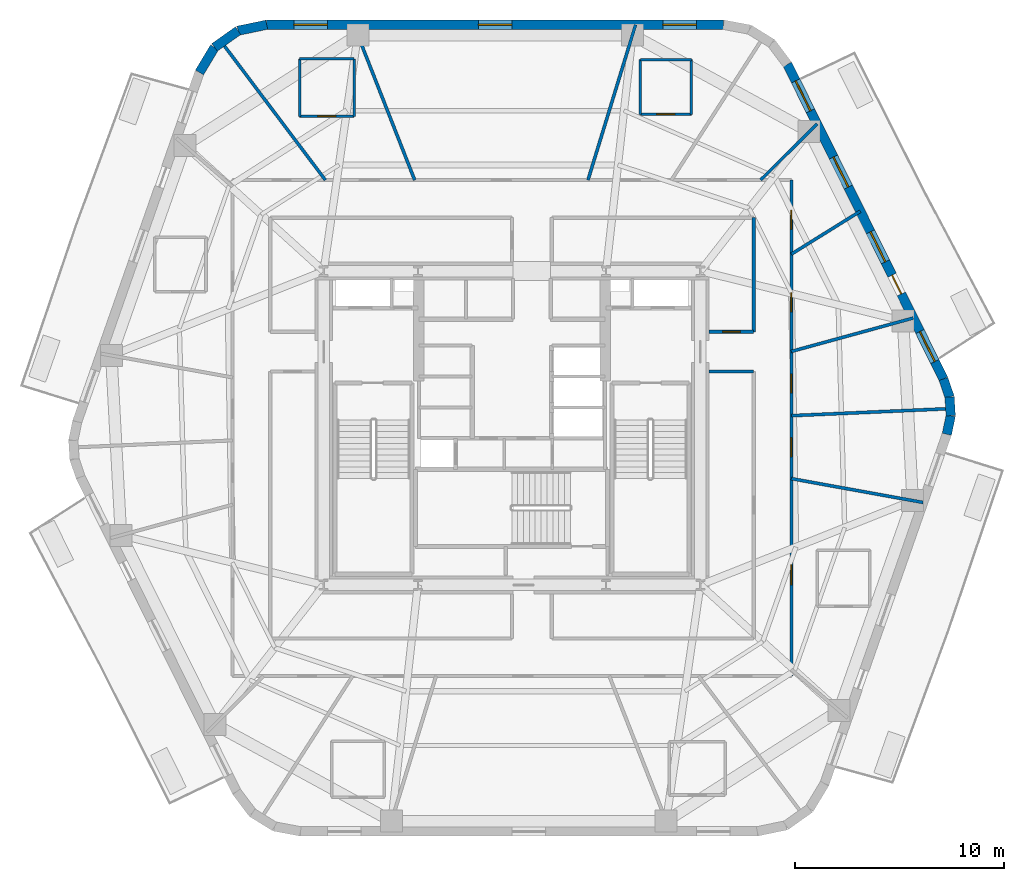
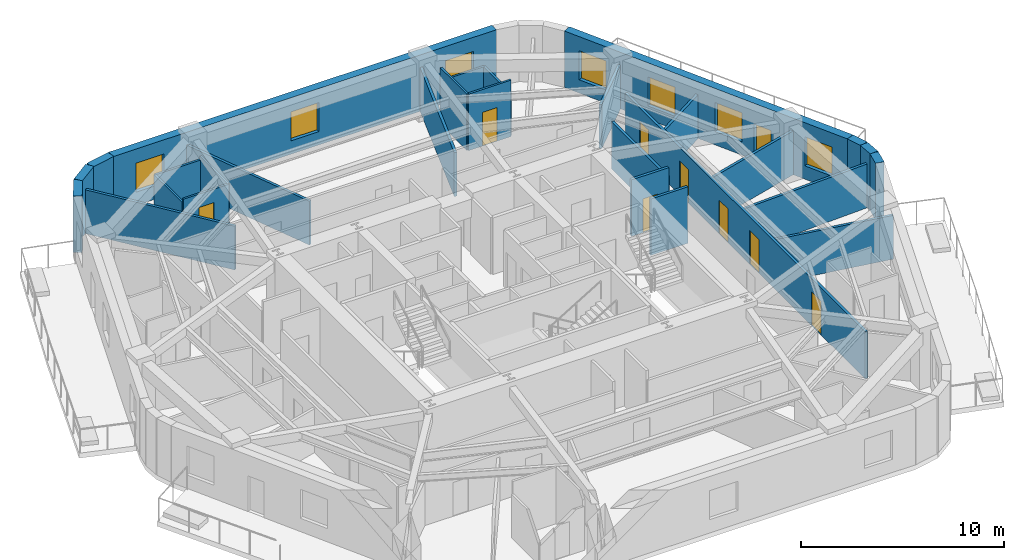
# One storey, part 6 of 10: 28 walls, 9 doors, 7 windows, 16 openings.
"""IFC4 building model written with IfcOpenShell, lengths in metres."""

from ifc_helpers import new_model, si_unit, direction, frame, frame_2d, origin, place, context, subcontext, project, spatial, rectangle, extrude, material, layer, layer_set, type_object, element, fill, save


model = new_model("IFC4")

# Units and contexts
model_context = context("Model", 3, precision=1e-05, world=origin(), true_north=direction((0.0, 1.0)))
body_context = subcontext(model_context, "Body", "Model", "MODEL_VIEW")
ifc_project = project(units=[si_unit("LENGTHUNIT", "METRE"), si_unit("AREAUNIT", "SQUARE_METRE"), si_unit("VOLUMEUNIT", "CUBIC_METRE"), si_unit("PLANEANGLEUNIT", "RADIAN"), si_unit("MASSUNIT", "GRAM", prefix="KILO")], contexts=[model_context])

# Site, building, storey
site_placement = place(None, origin())
site = spatial("IfcSite", under=ifc_project, at=site_placement, CompositionType="ELEMENT")
building_placement = place(site_placement, origin())
building = spatial("IfcBuilding", under=site, at=building_placement, Name="Kilnhurst Terrace Hotel", CompositionType="ELEMENT")
storey_placement = place(building_placement, frame((0.0, 0.0, 144.300048828125)))
storey = spatial("IfcBuildingStorey", under=building, at=storey_placement, Name="L35", CompositionType="ELEMENT", Elevation=144.300048828125)

# Walls
ifc_material_1 = material(Name="Precast concrete C40/50", Category="concrete")
ifc_layer_1 = layer(ifc_material_1, 0.449951171875, Name="Precast concrete C40/50")
ifc_layer_set_1 = layer_set([ifc_layer_1], Name="Precast concrete C40/50")
wall_type_1 = type_object("IfcWallType", Name="WL-BRK-450", PredefinedType="SOLIDWALL", material=ifc_layer_set_1)
wall_1_placement = place(storey_placement, frame((20.78173828125, -0.298095703125, 0.0), z_axis=(0.0, 0.0, 1.0), x_axis=(0.202570068411, 0.979267771033, 0.0)))
element("IfcWall", 1, at=wall_1_placement, inside=storey, type_object=wall_type_1, Name="L35 Rounded Corner Brick Wall C3.1", PredefinedType="SOLIDWALL", context=body_context, shape_type="SweptSolid", body=[
    extrude(rectangle(XDim=0.90869140625, YDim=0.449951171875, at=frame_2d((0.454345703125, 0.0))), origin(), (0.0, 0.0, 1.0), 3.39990234375),
])
wall_2_placement = place(storey_placement, frame((20.9658203125, 0.591796875, 0.0), z_axis=(0.0, 0.0, 1.0), x_axis=(-0.061748898935, 0.998091715966, 0.0)))
element("IfcWall", 2, at=wall_2_placement, inside=storey, type_object=wall_type_1, Name="L35 Rounded Corner Brick Wall C3.2", PredefinedType="SOLIDWALL", context=body_context, shape_type="SweptSolid", body=[
    extrude(rectangle(XDim=0.8935546875, YDim=0.449951171875, at=frame_2d((0.44677734375, 0.0))), origin(), (0.0, 0.0, 1.0), 3.39990234375),
])
wall_3_placement = place(storey_placement, frame((20.91064453125, 1.483642578125, 0.0), z_axis=(0.0, 0.0, 1.0), x_axis=(-0.321623334353, 0.946867694453, 0.0)))
element("IfcWall", 3, at=wall_3_placement, inside=storey, type_object=wall_type_1, Name="L35 Rounded Corner Brick Wall C3.3", PredefinedType="SOLIDWALL", context=body_context, shape_type="SweptSolid", body=[
    extrude(rectangle(XDim=0.90869140625, YDim=0.449951171875, at=frame_2d((0.454345703125, 0.0))), origin(), (0.0, 0.0, 1.0), 3.39990234375),
])
wall_4_placement = place(storey_placement, frame((-11.720458984375, 19.27490234375, 0.0), z_axis=(0.0, 0.0, 1.0), x_axis=(-0.97893106758, -0.204191001093, 0.0)))
element("IfcWall", 4, at=wall_4_placement, inside=storey, type_object=wall_type_1, Name="L35 Rounded Corner Brick Wall C5.1", PredefinedType="SOLIDWALL", context=body_context, shape_type="SweptSolid", body=[
    extrude(rectangle(XDim=1.400146484375, YDim=0.449951171875, at=frame_2d((0.7001953125, 0.0))), origin(), (0.0, 0.0, 1.0), 3.39990234375),
])
wall_5_placement = place(storey_placement, frame((-13.091064453125, 18.989013671875, 0.0), z_axis=(0.0, 0.0, 1.0), x_axis=(-0.815574637848, -0.578651890258, 0.0)))
element("IfcWall", 5, at=wall_5_placement, inside=storey, type_object=wall_type_1, Name="L35 Rounded Corner Brick Wall C5.2", PredefinedType="SOLIDWALL", context=body_context, shape_type="SweptSolid", body=[
    extrude(rectangle(XDim=1.376708984375, YDim=0.449951171875, at=frame_2d((0.6884765625, 0.0))), origin(), (0.0, 0.0, 1.0), 3.39990234375),
])
wall_6_placement = place(storey_placement, frame((-14.2138671875, 18.1923828125, 0.0), z_axis=(0.0, 0.0, 1.0), x_axis=(-0.516340945502, -0.856383108193, 0.0)))
element("IfcWall", 6, at=wall_6_placement, inside=storey, type_object=wall_type_1, Name="L35 Rounded Corner Brick Wall C5.3", PredefinedType="SOLIDWALL", context=body_context, shape_type="SweptSolid", body=[
    extrude(rectangle(XDim=1.400146484375, YDim=0.449951171875, at=frame_2d((0.7001953125, 0.0))), origin(), (0.0, 0.0, 1.0), 3.39990234375),
])

# Wall, openings, door, windows
wall_7_placement = place(storey_placement, frame((20.618408203125, 2.343994140625, 0.0), z_axis=(0.0, 0.0, 1.0), x_axis=(-0.444243691097, 0.895905990002, 0.0)))
wall_7 = element("IfcWall", 7, at=wall_7_placement, inside=storey, type_object=wall_type_1, Name="L35 Exterior Brick Facade Wall F3", PredefinedType="SOLIDWALL", context=body_context, shape_type="SweptSolid", body=[
    extrude(rectangle(XDim=16.78369140625, YDim=0.449951171875, at=frame_2d((8.391845703125, 0.0))), origin(), (0.0, 0.0, 1.0), 3.39990234375),
])
opening_1_placement = place(wall_7_placement, frame((4.534912109375, 0.0, 0.0)))
opening_1 = element("IfcOpeningElement", 8, at=opening_1_placement, cuts=wall_7, Name="Opening BD-1000", PredefinedType="OPENING", context=body_context, shape_type="SweptSolid", body=[
    extrude(rectangle(XDim=1.0, YDim=2.14990234375, at=frame_2d((0.5, 1.074951171875))), frame((0.0, 0.23486328125, 0.0), z_axis=(0.0, -1.0, 0.0), x_axis=(1.0, 0.0, 0.0)), (0.0, 0.0, 1.0), 0.469970703125),
])
opening_2_placement = place(wall_7_placement, frame((0.930908203125, 0.0, 0.800048828125)))
opening_2 = element("IfcOpeningElement", 9, at=opening_2_placement, cuts=wall_7, Name="Opening W-05", PredefinedType="OPENING", context=body_context, shape_type="SweptSolid", body=[
    extrude(rectangle(XDim=1.60009765625, YDim=1.75, at=frame_2d((0.800048828125, 0.875))), frame((0.0, 0.23486328125, 0.0), z_axis=(0.0, -1.0, 0.0), x_axis=(1.0, 0.0, 0.0)), (0.0, 0.0, 1.0), 0.469970703125),
])
opening_3_placement = place(wall_7_placement, frame((6.25, 0.0, 0.800048828125)))
opening_3 = element("IfcOpeningElement", 10, at=opening_3_placement, cuts=wall_7, Name="Opening W-05", PredefinedType="OPENING", context=body_context, shape_type="SweptSolid", body=[
    extrude(rectangle(XDim=1.60009765625, YDim=1.75, at=frame_2d((0.800048828125, 0.875))), frame((0.0, 0.23486328125, 0.0), z_axis=(0.0, -1.0, 0.0), x_axis=(1.0, 0.0, 0.0)), (0.0, 0.0, 1.0), 0.469970703125),
])
opening_4_placement = place(wall_7_placement, frame((10.239990234375, 0.0, 0.800048828125)))
opening_4 = element("IfcOpeningElement", 11, at=opening_4_placement, cuts=wall_7, Name="Opening W-05", PredefinedType="OPENING", context=body_context, shape_type="SweptSolid", body=[
    extrude(rectangle(XDim=1.60009765625, YDim=1.75, at=frame_2d((0.800048828125, 0.875))), frame((0.0, 0.23486328125, 0.0), z_axis=(0.0, -1.0, 0.0), x_axis=(1.0, 0.0, 0.0)), (0.0, 0.0, 1.0), 0.469970703125),
])
opening_5_placement = place(wall_7_placement, frame((14.302978515625, 0.0, 0.800048828125)))
opening_5 = element("IfcOpeningElement", 12, at=opening_5_placement, cuts=wall_7, Name="Opening W-05", PredefinedType="OPENING", context=body_context, shape_type="SweptSolid", body=[
    extrude(rectangle(XDim=1.60009765625, YDim=1.75, at=frame_2d((0.800048828125, 0.875))), frame((0.0, 0.23486328125, 0.0), z_axis=(0.0, -1.0, 0.0), x_axis=(1.0, 0.0, 0.0)), (0.0, 0.0, 1.0), 0.469970703125),
])
ifc_material_2 = material(Name="Thermally Broken Bronze Aluminium Alloy 6063-T6 and Laminated Glass", Category="aluminium")
door_type_1 = type_object("IfcDoorType", Name="DR-EXT-BAL-1000", OperationType="NOTDEFINED", PredefinedType="DOOR", material=ifc_material_2)
door_1_placement = place(opening_1_placement, origin())
door_1 = element("IfcDoor", 13, at=door_1_placement, inside=storey, type_object=door_type_1, Name="L35 Planted Balcony Door BAL-L1B", OperationType="SINGLE_SWING_LEFT", OverallHeight=2.14990234375, OverallWidth=1.0, PredefinedType="DOOR", context=body_context, shape_type="SweptSolid", body=[
    extrude(rectangle(XDim=1.0, YDim=2.14990234375, at=frame_2d((0.5, 1.074951171875))), frame((0.0, 0.02490234375, 0.0), z_axis=(0.0, -1.0, 0.0), x_axis=(1.0, 0.0, 0.0)), (0.0, 0.0, 1.0), 0.050048828125),
])
fill(opening_1, door_1)
ifc_material_3 = material(Name="Thermally Broken Bronze Aluminium Alloy 6063-T6 and Low-E Glass", Category="aluminium")
window_type = type_object("IfcWindowType", Name="WIN-1600X1750", PartitioningType="SINGLE_PANEL", PredefinedType="WINDOW", material=ifc_material_3)
window_1_placement = place(opening_2_placement, origin())
window_1 = element("IfcWindow", 14, at=window_1_placement, inside=storey, type_object=window_type, Name="L35 Deep-Set Masonry Window F3.1", OverallHeight=1.75, OverallWidth=1.60009765625, PartitioningType="SINGLE_PANEL", PredefinedType="WINDOW", context=body_context, shape_type="SweptSolid", body=[
    extrude(rectangle(XDim=1.60009765625, YDim=1.75, at=frame_2d((0.800048828125, 0.875))), frame((0.0, 0.030029296875, 0.0), z_axis=(0.0, -1.0, 0.0), x_axis=(1.0, 0.0, 0.0)), (0.0, 0.0, 1.0), 0.06005859375),
])
fill(opening_2, window_1)
window_2_placement = place(opening_3_placement, origin())
window_2 = element("IfcWindow", 15, at=window_2_placement, inside=storey, type_object=window_type, Name="L35 Deep-Set Masonry Window F3.2", OverallHeight=1.75, OverallWidth=1.60009765625, PartitioningType="SINGLE_PANEL", PredefinedType="WINDOW", context=body_context, shape_type="SweptSolid", body=[
    extrude(rectangle(XDim=1.60009765625, YDim=1.75, at=frame_2d((0.800048828125, 0.875))), frame((0.0, 0.030029296875, 0.0), z_axis=(0.0, -1.0, 0.0), x_axis=(1.0, 0.0, 0.0)), (0.0, 0.0, 1.0), 0.06005859375),
])
fill(opening_3, window_2)
window_3_placement = place(opening_4_placement, origin())
window_3 = element("IfcWindow", 16, at=window_3_placement, inside=storey, type_object=window_type, Name="L35 Deep-Set Masonry Window F3.3", OverallHeight=1.75, OverallWidth=1.60009765625, PartitioningType="SINGLE_PANEL", PredefinedType="WINDOW", context=body_context, shape_type="SweptSolid", body=[
    extrude(rectangle(XDim=1.60009765625, YDim=1.75, at=frame_2d((0.800048828125, 0.875))), frame((0.0, 0.030029296875, 0.0), z_axis=(0.0, -1.0, 0.0), x_axis=(1.0, 0.0, 0.0)), (0.0, 0.0, 1.0), 0.06005859375),
])
fill(opening_4, window_3)
window_4_placement = place(opening_5_placement, origin())
window_4 = element("IfcWindow", 17, at=window_4_placement, inside=storey, type_object=window_type, Name="L35 Deep-Set Masonry Window F3.4", OverallHeight=1.75, OverallWidth=1.60009765625, PartitioningType="SINGLE_PANEL", PredefinedType="WINDOW", context=body_context, shape_type="SweptSolid", body=[
    extrude(rectangle(XDim=1.60009765625, YDim=1.75, at=frame_2d((0.800048828125, 0.875))), frame((0.0, 0.030029296875, 0.0), z_axis=(0.0, -1.0, 0.0), x_axis=(1.0, 0.0, 0.0)), (0.0, 0.0, 1.0), 0.06005859375),
])
fill(opening_5, window_4)

# Wall, openings, windows
wall_8_placement = place(storey_placement, frame((10.1083984375, 19.27490234375, 0.0), z_axis=(0.0, 0.0, 1.0), x_axis=(-1.0, 0.0, 0.0)))
wall_8 = element("IfcWall", 18, at=wall_8_placement, inside=storey, type_object=wall_type_1, Name="L35 Exterior Brick Facade Wall F4", PredefinedType="SOLIDWALL", context=body_context, shape_type="SweptSolid", body=[
    extrude(rectangle(XDim=21.828857421875, YDim=0.449951171875, at=frame_2d((10.91455078125, 0.0))), origin(), (0.0, 0.0, 1.0), 3.39990234375),
])
opening_6_placement = place(wall_8_placement, frame((1.297119140625, 0.0, 0.800048828125)))
opening_6 = element("IfcOpeningElement", 19, at=opening_6_placement, cuts=wall_8, Name="Opening W-05", PredefinedType="OPENING", context=body_context, shape_type="SweptSolid", body=[
    extrude(rectangle(XDim=1.60009765625, YDim=1.75, at=frame_2d((0.800048828125, 0.875))), frame((0.0, 0.23486328125, 0.0), z_axis=(0.0, -1.0, 0.0), x_axis=(1.0, 0.0, 0.0)), (0.0, 0.0, 1.0), 0.469970703125),
])
opening_7_placement = place(wall_8_placement, frame((10.114990234375, 0.0, 0.800048828125)))
opening_7 = element("IfcOpeningElement", 20, at=opening_7_placement, cuts=wall_8, Name="Opening W-05", PredefinedType="OPENING", context=body_context, shape_type="SweptSolid", body=[
    extrude(rectangle(XDim=1.60009765625, YDim=1.75, at=frame_2d((0.800048828125, 0.875))), frame((0.0, 0.23486328125, 0.0), z_axis=(0.0, -1.0, 0.0), x_axis=(1.0, 0.0, 0.0)), (0.0, 0.0, 1.0), 0.469970703125),
])
opening_8_placement = place(wall_8_placement, frame((18.93310546875, 0.0, 0.800048828125)))
opening_8 = element("IfcOpeningElement", 21, at=opening_8_placement, cuts=wall_8, Name="Opening W-05", PredefinedType="OPENING", context=body_context, shape_type="SweptSolid", body=[
    extrude(rectangle(XDim=1.60009765625, YDim=1.75, at=frame_2d((0.800048828125, 0.875))), frame((0.0, 0.23486328125, 0.0), z_axis=(0.0, -1.0, 0.0), x_axis=(1.0, 0.0, 0.0)), (0.0, 0.0, 1.0), 0.469970703125),
])
window_5_placement = place(opening_6_placement, origin())
window_5 = element("IfcWindow", 22, at=window_5_placement, inside=storey, type_object=window_type, Name="L35 Deep-Set Masonry Window F4.1", OverallHeight=1.75, OverallWidth=1.60009765625, PartitioningType="SINGLE_PANEL", PredefinedType="WINDOW", context=body_context, shape_type="SweptSolid", body=[
    extrude(rectangle(XDim=1.60009765625, YDim=1.75, at=frame_2d((0.800048828125, 0.875))), frame((0.0, 0.030029296875, 0.0), z_axis=(0.0, -1.0, 0.0), x_axis=(1.0, 0.0, 0.0)), (0.0, 0.0, 1.0), 0.06005859375),
])
fill(opening_6, window_5)
window_6_placement = place(opening_7_placement, origin())
window_6 = element("IfcWindow", 23, at=window_6_placement, inside=storey, type_object=window_type, Name="L35 Deep-Set Masonry Window F4.2", OverallHeight=1.75, OverallWidth=1.60009765625, PartitioningType="SINGLE_PANEL", PredefinedType="WINDOW", context=body_context, shape_type="SweptSolid", body=[
    extrude(rectangle(XDim=1.60009765625, YDim=1.75, at=frame_2d((0.800048828125, 0.875))), frame((0.0, 0.030029296875, 0.0), z_axis=(0.0, -1.0, 0.0), x_axis=(1.0, 0.0, 0.0)), (0.0, 0.0, 1.0), 0.06005859375),
])
fill(opening_7, window_6)
window_7_placement = place(opening_8_placement, origin())
window_7 = element("IfcWindow", 24, at=window_7_placement, inside=storey, type_object=window_type, Name="L35 Deep-Set Masonry Window F4.3", OverallHeight=1.75, OverallWidth=1.60009765625, PartitioningType="SINGLE_PANEL", PredefinedType="WINDOW", context=body_context, shape_type="SweptSolid", body=[
    extrude(rectangle(XDim=1.60009765625, YDim=1.75, at=frame_2d((0.800048828125, 0.875))), frame((0.0, 0.030029296875, 0.0), z_axis=(0.0, -1.0, 0.0), x_axis=(1.0, 0.0, 0.0)), (0.0, 0.0, 1.0), 0.06005859375),
])
fill(opening_8, window_7)

# Wall, openings, doors
ifc_material_4 = material(Name="Acoustic Double-Gypsum Corridor Partition Assembly")
ifc_layer_2 = layer(ifc_material_4, 0.14990234375, Name="Acoustic Double-Gypsum Corridor Partition Assembly")
ifc_layer_set_2 = layer_set([ifc_layer_2], Name="Acoustic Double-Gypsum Corridor Partition Assembly")
wall_type_2 = type_object("IfcWallType", Name="WL-COR-150", PredefinedType="PARTITIONING", material=ifc_layer_set_2)
wall_9_placement = place(storey_placement, frame((13.35009765625, 11.85009765625, 0.0), z_axis=(0.0, 0.0, 1.0), x_axis=(0.0, -1.0, 0.0)))
wall_9 = element("IfcWall", 25, at=wall_9_placement, inside=storey, type_object=wall_type_2, Name="L35 Interior Wall WL-L35-COR-04", PredefinedType="PARTITIONING", context=body_context, shape_type="SweptSolid", body=[
    extrude(rectangle(XDim=23.7001953125, YDim=0.14990234375, at=frame_2d((11.85009765625, 0.0))), origin(), (0.0, 0.0, 1.0), 2.83984375),
])
opening_9_placement = place(wall_9_placement, frame((9.27001953125, 0.0, 0.0)))
opening_9 = element("IfcOpeningElement", 26, at=opening_9_placement, cuts=wall_9, Name="Opening D-60C", PredefinedType="OPENING", context=body_context, shape_type="SweptSolid", body=[
    extrude(rectangle(XDim=0.89990234375, YDim=2.030029296875, at=frame_2d((0.449951171875, 1.01513671875))), frame((0.0, 0.0849609375, 0.0), z_axis=(0.0, -1.0, 0.0), x_axis=(1.0, 0.0, 0.0)), (0.0, 0.0, 1.0), 0.169921875),
])
opening_10_placement = place(wall_9_placement, frame((5.39306640625, 0.0, 0.0)))
opening_10 = element("IfcOpeningElement", 27, at=opening_10_placement, cuts=wall_9, Name="Opening D-60C", PredefinedType="OPENING", context=body_context, shape_type="SweptSolid", body=[
    extrude(rectangle(XDim=0.89990234375, YDim=2.030029296875, at=frame_2d((0.449951171875, 1.01513671875))), frame((0.0, 0.0849609375, 0.0), z_axis=(0.0, -1.0, 0.0), x_axis=(1.0, 0.0, 0.0)), (0.0, 0.0, 1.0), 0.169921875),
])
opening_11_placement = place(wall_9_placement, frame((1.43896484375, 0.0, 0.0)))
opening_11 = element("IfcOpeningElement", 28, at=opening_11_placement, cuts=wall_9, Name="Opening D-60C", PredefinedType="OPENING", context=body_context, shape_type="SweptSolid", body=[
    extrude(rectangle(XDim=0.89990234375, YDim=2.030029296875, at=frame_2d((0.449951171875, 1.01513671875))), frame((0.0, 0.0849609375, 0.0), z_axis=(0.0, -1.0, 0.0), x_axis=(1.0, 0.0, 0.0)), (0.0, 0.0, 1.0), 0.169921875),
])
opening_12_placement = place(wall_9_placement, frame((18.388916015625, 0.0, 0.0)))
opening_12 = element("IfcOpeningElement", 29, at=opening_12_placement, cuts=wall_9, Name="Opening D-60B", PredefinedType="OPENING", context=body_context, shape_type="SweptSolid", body=[
    extrude(rectangle(XDim=0.949951171875, YDim=2.030029296875, at=frame_2d((0.47509765625, 1.01513671875))), frame((0.0, 0.0849609375, 0.0), z_axis=(0.0, -1.0, 0.0), x_axis=(1.0, 0.0, 0.0)), (0.0, 0.0, 1.0), 0.169921875),
])
opening_13_placement = place(wall_9_placement, frame((12.31494140625, 0.0, 0.0)))
opening_13 = element("IfcOpeningElement", 30, at=opening_13_placement, cuts=wall_9, Name="Opening D-60C", PredefinedType="OPENING", context=body_context, shape_type="SweptSolid", body=[
    extrude(rectangle(XDim=0.89990234375, YDim=2.030029296875, at=frame_2d((0.449951171875, 1.01513671875))), frame((0.0, 0.0849609375, 0.0), z_axis=(0.0, -1.0, 0.0), x_axis=(1.0, 0.0, 0.0)), (0.0, 0.0, 1.0), 0.169921875),
])
ifc_material_5 = material(Name="Painted Solid-Core Service Fire Door")
door_type_2 = type_object("IfcDoorType", Name="DR-FD60-900", OperationType="NOTDEFINED", PredefinedType="DOOR", material=ifc_material_5)
door_2_placement = place(opening_9_placement, origin())
door_2 = element("IfcDoor", 31, at=door_2_placement, inside=storey, type_object=door_type_2, Name="L35 Private Study Salon Door 1", OperationType="SINGLE_SWING_LEFT", OverallHeight=2.030029296875, OverallWidth=0.89990234375, PredefinedType="DOOR", context=body_context, shape_type="SweptSolid", body=[
    extrude(rectangle(XDim=0.89990234375, YDim=2.030029296875, at=frame_2d((0.449951171875, 1.01513671875))), frame((0.0, 0.02490234375, 0.0), z_axis=(0.0, -1.0, 0.0), x_axis=(1.0, 0.0, 0.0)), (0.0, 0.0, 1.0), 0.050048828125),
])
fill(opening_9, door_2)
door_3_placement = place(opening_10_placement, origin())
door_3 = element("IfcDoor", 32, at=door_3_placement, inside=storey, type_object=door_type_2, Name="L35 Executive Work Office Door 2", OperationType="SINGLE_SWING_RIGHT", OverallHeight=2.030029296875, OverallWidth=0.89990234375, PredefinedType="DOOR", context=body_context, shape_type="SweptSolid", body=[
    extrude(rectangle(XDim=0.89990234375, YDim=2.030029296875, at=frame_2d((0.449951171875, 1.01513671875))), frame((0.0, 0.02490234375, 0.0), z_axis=(0.0, -1.0, 0.0), x_axis=(1.0, 0.0, 0.0)), (0.0, 0.0, 1.0), 0.050048828125),
])
fill(opening_10, door_3)
door_4_placement = place(opening_11_placement, origin())
door_4 = element("IfcDoor", 33, at=door_4_placement, inside=storey, type_object=door_type_2, Name="L35 Botanical Reading Lounge Door 3", OperationType="SINGLE_SWING_LEFT", OverallHeight=2.030029296875, OverallWidth=0.89990234375, PredefinedType="DOOR", context=body_context, shape_type="SweptSolid", body=[
    extrude(rectangle(XDim=0.89990234375, YDim=2.030029296875, at=frame_2d((0.449951171875, 1.01513671875))), frame((0.0, 0.02490234375, 0.0), z_axis=(0.0, -1.0, 0.0), x_axis=(1.0, 0.0, 0.0)), (0.0, 0.0, 1.0), 0.050048828125),
])
fill(opening_11, door_4)
door_5_placement = place(opening_13_placement, origin())
door_5 = element("IfcDoor", 34, at=door_5_placement, inside=storey, type_object=door_type_2, Name="L35 Wellness Consultation Room Door 19", OperationType="SINGLE_SWING_LEFT", OverallHeight=2.030029296875, OverallWidth=0.89990234375, PredefinedType="DOOR", context=body_context, shape_type="SweptSolid", body=[
    extrude(rectangle(XDim=0.89990234375, YDim=2.030029296875, at=frame_2d((0.449951171875, 1.01513671875))), frame((0.0, 0.02490234375, 0.0), z_axis=(0.0, -1.0, 0.0), x_axis=(1.0, 0.0, 0.0)), (0.0, 0.0, 1.0), 0.050048828125),
])
fill(opening_13, door_5)
ifc_material_6 = material(Name="Acoustic Walnut Veneer Solid-Core Fire Door")
door_type_3 = type_object("IfcDoorType", Name="DR-FD60-950", OperationType="NOTDEFINED", PredefinedType="DOOR", material=ifc_material_6)
door_6_placement = place(opening_12_placement, origin())
door_6 = element("IfcDoor", 35, at=door_6_placement, inside=storey, type_object=door_type_3, Name="L35 Guest Room Entry Door 18", OperationType="SINGLE_SWING_RIGHT", OverallHeight=2.030029296875, OverallWidth=0.949951171875, PredefinedType="DOOR", context=body_context, shape_type="SweptSolid", body=[
    extrude(rectangle(XDim=0.949951171875, YDim=2.030029296875, at=frame_2d((0.47509765625, 1.01513671875))), frame((0.0, 0.02490234375, 0.0), z_axis=(0.0, -1.0, 0.0), x_axis=(1.0, 0.0, 0.0)), (0.0, 0.0, 1.0), 0.050048828125),
])
fill(opening_12, door_6)

# Wall
wall_10_placement = place(storey_placement, frame((11.550048828125, 2.699951171875, 0.0), z_axis=(0.0, 0.0, 1.0), x_axis=(-1.0, 0.0, 0.0)))
element("IfcWall", 36, at=wall_10_placement, inside=storey, type_object=wall_type_2, Name="L35 Interior Wall WL-L35-COR-06", PredefinedType="PARTITIONING", context=body_context, shape_type="SweptSolid", body=[
    extrude(rectangle(XDim=2.125, YDim=0.14990234375, at=frame_2d((1.0625, 0.0))), origin(), (0.0, 0.0, 1.0), 3.39990234375),
])

# Wall, opening, door
wall_11_placement = place(storey_placement, frame((9.425048828125, 4.60009765625, 0.0), z_axis=(0.0, 0.0, 1.0), x_axis=(1.0, 0.0, 0.0)))
wall_11 = element("IfcWall", 37, at=wall_11_placement, inside=storey, type_object=wall_type_2, Name="L35 Interior Wall WL-L35-COR-07", PredefinedType="PARTITIONING", context=body_context, shape_type="SweptSolid", body=[
    extrude(rectangle(XDim=2.125, YDim=0.14990234375, at=frame_2d((1.0625, 0.0))), origin(), (0.0, 0.0, 1.0), 3.39990234375),
])
opening_14_placement = place(wall_11_placement, frame((0.636962890625, 0.0, 0.0)))
opening_14 = element("IfcOpeningElement", 38, at=opening_14_placement, cuts=wall_11, Name="Opening D-60D", PredefinedType="OPENING", context=body_context, shape_type="SweptSolid", body=[
    extrude(rectangle(XDim=0.85009765625, YDim=2.030029296875, at=frame_2d((0.425048828125, 1.01513671875))), frame((0.0, 0.0849609375, 0.0), z_axis=(0.0, -1.0, 0.0), x_axis=(1.0, 0.0, 0.0)), (0.0, 0.0, 1.0), 0.169921875),
])
ifc_material_7 = material(Name="Painted Hollow Metal Steel ASTM A36 Riser Door", Category="steel")
door_type_4 = type_object("IfcDoorType", Name="DR-FD60-850", OperationType="NOTDEFINED", PredefinedType="DOOR", material=ifc_material_7)
door_7_placement = place(opening_14_placement, origin())
door_7 = element("IfcDoor", 39, at=door_7_placement, inside=storey, type_object=door_type_4, Name="L35 Floor Beverage Service Room Door", OperationType="SINGLE_SWING_LEFT", OverallHeight=2.030029296875, OverallWidth=0.85009765625, PredefinedType="DOOR", context=body_context, shape_type="SweptSolid", body=[
    extrude(rectangle(XDim=0.85009765625, YDim=2.030029296875, at=frame_2d((0.425048828125, 1.01513671875))), frame((0.0, 0.02490234375, 0.0), z_axis=(0.0, -1.0, 0.0), x_axis=(1.0, 0.0, 0.0)), (0.0, 0.0, 1.0), 0.050048828125),
])
fill(opening_14, door_7)

# Walls
wall_12_placement = place(storey_placement, frame((11.550048828125, 4.60009765625, 0.0), z_axis=(0.0, 0.0, 1.0), x_axis=(0.0, 1.0, 0.0)))
element("IfcWall", 40, at=wall_12_placement, inside=storey, type_object=wall_type_2, Name="L35 Interior Wall WL-L35-COR-08", PredefinedType="PARTITIONING", context=body_context, shape_type="SweptSolid", body=[
    extrude(rectangle(XDim=5.449951171875, YDim=0.14990234375, at=frame_2d((2.72509765625, 0.0))), origin(), (0.0, 0.0, 1.0), 2.83984375),
])
ifc_material_8 = material(Name="STC-58 Acoustic Twin-Frame Guestroom Demising Partition")
ifc_layer_3 = layer(ifc_material_8, 0.14990234375, Name="STC-58 Acoustic Twin-Frame Guestroom Demising Partition")
ifc_layer_set_3 = layer_set([ifc_layer_3], Name="STC-58 Acoustic Twin-Frame Guestroom Demising Partition")
wall_type_3 = type_object("IfcWallType", Name="WL-DEM-150", PredefinedType="PARTITIONING", material=ifc_layer_set_3)
wall_13_placement = place(storey_placement, frame((13.35009765625, 0.591064453125, 0.0), z_axis=(0.0, 0.0, 1.0), x_axis=(0.999020359631, 0.044252921296, 0.0)))
element("IfcWall", 41, at=wall_13_placement, inside=storey, type_object=wall_type_3, Name="L35 Interior Wall WL-L35-DEM-MID12-01-1", PredefinedType="PARTITIONING", context=body_context, shape_type="SweptSolid", body=[
    extrude(rectangle(XDim=7.4423828125, YDim=0.14990234375, at=frame_2d((3.72119140625, 0.0))), origin(), (0.0, 0.0, 1.0), 2.639892578125),
])
wall_14_placement = place(storey_placement, frame((13.35009765625, 3.66064453125, 0.0), z_axis=(0.0, 0.0, 1.0), x_axis=(0.964397145454, 0.264458211898, 0.0)))
element("IfcWall", 42, at=wall_14_placement, inside=storey, type_object=wall_type_3, Name="L35 Interior Wall WL-L35-DEM-COL01-02-1", PredefinedType="PARTITIONING", context=body_context, shape_type="SweptSolid", body=[
    extrude(rectangle(XDim=6.03857421875, YDim=0.14990234375, at=frame_2d((3.019287109375, 0.0))), origin(), (0.0, 0.0, 1.0), 2.639892578125),
])
wall_15_placement = place(storey_placement, frame((13.35009765625, 8.310791015625, 0.0), z_axis=(0.0, 0.0, 1.0), x_axis=(0.848902237132, 0.528549895272, 0.0)))
element("IfcWall", 43, at=wall_15_placement, inside=storey, type_object=wall_type_3, Name="L35 Interior Wall WL-L35-DEM-MID01-03-1", PredefinedType="PARTITIONING", context=body_context, shape_type="SweptSolid", body=[
    extrude(rectangle(XDim=3.879150390625, YDim=0.14990234375, at=frame_2d((1.939453125, 0.0))), origin(), (0.0, 0.0, 1.0), 2.639892578125),
])
wall_16_placement = place(storey_placement, frame((11.8818359375, 11.85009765625, 0.0), z_axis=(0.0, 0.0, 1.0), x_axis=(0.708037373639, 0.706174962407, 0.0)))
element("IfcWall", 44, at=wall_16_placement, inside=storey, type_object=wall_type_3, Name="L35 Interior Wall WL-L35-DEM-COL02-04-1", PredefinedType="PARTITIONING", context=body_context, shape_type="SweptSolid", body=[
    extrude(rectangle(XDim=3.801513671875, YDim=0.14990234375, at=frame_2d((1.90087890625, 0.0))), origin(), (0.0, 0.0, 1.0), 2.639892578125),
])
wall_17_placement = place(storey_placement, frame((3.63134765625, 11.85009765625, 0.0), z_axis=(0.0, 0.0, 1.0), x_axis=(0.293007573338, 0.956110120209, 0.0)))
element("IfcWall", 45, at=wall_17_placement, inside=storey, type_object=wall_type_3, Name="L35 Interior Wall WL-L35-DEM-COL03-06-1", PredefinedType="PARTITIONING", context=body_context, shape_type="SweptSolid", body=[
    extrude(rectangle(XDim=7.765625, YDim=0.14990234375, at=frame_2d((3.8828125, 0.0))), origin(), (0.0, 0.0, 1.0), 2.639892578125),
])
wall_18_placement = place(storey_placement, frame((-4.64990234375, 11.85009765625, 0.0), z_axis=(0.0, 0.0, 1.0), x_axis=(-0.365265947993, 0.930903210456, 0.0)))
element("IfcWall", 46, at=wall_18_placement, inside=storey, type_object=wall_type_3, Name="L35 Interior Wall WL-L35-DEM-COL04-07-1", PredefinedType="PARTITIONING", context=body_context, shape_type="SweptSolid", body=[
    extrude(rectangle(XDim=7.975830078125, YDim=0.14990234375, at=frame_2d((3.98779296875, 0.0))), origin(), (0.0, 0.0, 1.0), 2.639892578125),
])
wall_19_placement = place(storey_placement, frame((-8.91845703125, 11.85009765625, 0.0), z_axis=(0.0, 0.0, 1.0), x_axis=(-0.601347965064, 0.798987249531, 0.0)))
element("IfcWall", 47, at=wall_19_placement, inside=storey, type_object=wall_type_3, Name="L35 Interior Wall WL-L35-DEM-MID04-08-1", PredefinedType="PARTITIONING", context=body_context, shape_type="SweptSolid", body=[
    extrude(rectangle(XDim=8.080078125, YDim=0.14990234375, at=frame_2d((4.0400390625, 0.0))), origin(), (0.0, 0.0, 1.0), 2.639892578125),
])
wall_20_placement = place(storey_placement, frame((13.35009765625, -2.417236328125, 0.0), z_axis=(0.0, 0.0, 1.0), x_axis=(0.98399796473, -0.178179699761, 0.0)))
element("IfcWall", 48, at=wall_20_placement, inside=storey, type_object=wall_type_3, Name="L35 Interior Wall WL-L35-DEM-COL12-19-1", PredefinedType="PARTITIONING", context=body_context, shape_type="SweptSolid", body=[
    extrude(rectangle(XDim=6.393310546875, YDim=0.14990234375, at=frame_2d((3.19677734375, 0.0))), origin(), (0.0, 0.0, 1.0), 2.639892578125),
])

# Wall, opening, door
ifc_material_9 = material(Name="120 mm Moisture-Resistant Tile-Backed Bathroom Partition")
ifc_layer_4 = layer(ifc_material_9, 0.1201171875, Name="120 mm Moisture-Resistant Tile-Backed Bathroom Partition")
ifc_layer_set_4 = layer_set([ifc_layer_4], Name="120 mm Moisture-Resistant Tile-Backed Bathroom Partition")
wall_type_4 = type_object("IfcWallType", Name="WL-PART-120", PredefinedType="PARTITIONING", material=ifc_layer_set_4)
wall_21_placement = place(storey_placement, frame((6.134033203125, 14.993896484375, 0.0), z_axis=(0.0, 0.0, 1.0), x_axis=(1.0, 0.0, 0.0)))
wall_21 = element("IfcWall", 49, at=wall_21_placement, inside=storey, type_object=wall_type_4, Name="L35 Interior Wall WL-L35-BTH-05-1", PredefinedType="PARTITIONING", context=body_context, shape_type="SweptSolid", body=[
    extrude(rectangle(XDim=2.43994140625, YDim=0.1201171875, at=frame_2d((1.219970703125, 0.0))), origin(), (0.0, 0.0, 1.0), 3.39990234375),
])
opening_15_placement = place(wall_21_placement, frame((0.794921875, 0.0, 0.0)))
opening_15 = element("IfcOpeningElement", 50, at=opening_15_placement, cuts=wall_21, Name="Opening D-08A", PredefinedType="OPENING", context=body_context, shape_type="SweptSolid", body=[
    extrude(rectangle(XDim=0.85009765625, YDim=2.030029296875, at=frame_2d((0.425048828125, 1.01513671875))), frame((0.0, 0.070068359375, 0.0), z_axis=(0.0, -1.0, 0.0), x_axis=(1.0, 0.0, 0.0)), (0.0, 0.0, 1.0), 0.14013671875),
])
ifc_material_10 = material(Name="Moisture-Resistant Lacquered En-suite Bathroom Door")
door_type_5 = type_object("IfcDoorType", Name="DR-INT-850", OperationType="NOTDEFINED", PredefinedType="DOOR", material=ifc_material_10)
door_8_placement = place(opening_15_placement, origin())
door_8 = element("IfcDoor", 51, at=door_8_placement, inside=storey, type_object=door_type_5, Name="L35 En-suite Bathroom Door 5", OperationType="SINGLE_SWING_RIGHT", OverallHeight=2.030029296875, OverallWidth=0.85009765625, PredefinedType="DOOR", context=body_context, shape_type="SweptSolid", body=[
    extrude(rectangle(XDim=0.85009765625, YDim=2.030029296875, at=frame_2d((0.425048828125, 1.01513671875))), frame((0.0, 0.02490234375, 0.0), z_axis=(0.0, -1.0, 0.0), x_axis=(1.0, 0.0, 0.0)), (0.0, 0.0, 1.0), 0.050048828125),
])
fill(opening_15, door_8)

# Walls
wall_22_placement = place(storey_placement, frame((8.573974609375, 14.993896484375, 0.0), z_axis=(0.0, 0.0, 1.0), x_axis=(0.0, 1.0, 0.0)))
element("IfcWall", 52, at=wall_22_placement, inside=storey, type_object=wall_type_4, Name="L35 Interior Wall WL-L35-BTH-05-2", PredefinedType="PARTITIONING", context=body_context, shape_type="SweptSolid", body=[
    extrude(rectangle(XDim=2.610107421875, YDim=0.1201171875, at=frame_2d((1.30517578125, 0.0))), origin(), (0.0, 0.0, 1.0), 2.639892578125),
])
wall_23_placement = place(storey_placement, frame((8.573974609375, 17.60400390625, 0.0), z_axis=(0.0, 0.0, 1.0), x_axis=(-1.0, 0.0, 0.0)))
element("IfcWall", 53, at=wall_23_placement, inside=storey, type_object=wall_type_4, Name="L35 Interior Wall WL-L35-BTH-05-3", PredefinedType="PARTITIONING", context=body_context, shape_type="SweptSolid", body=[
    extrude(rectangle(XDim=2.43994140625, YDim=0.1201171875, at=frame_2d((1.219970703125, 0.0))), origin(), (0.0, 0.0, 1.0), 2.639892578125),
])
wall_24_placement = place(storey_placement, frame((6.134033203125, 17.60400390625, 0.0), z_axis=(0.0, 0.0, 1.0), x_axis=(0.0, -1.0, 0.0)))
element("IfcWall", 54, at=wall_24_placement, inside=storey, type_object=wall_type_4, Name="L35 Interior Wall WL-L35-BTH-05-4", PredefinedType="PARTITIONING", context=body_context, shape_type="SweptSolid", body=[
    extrude(rectangle(XDim=2.610107421875, YDim=0.1201171875, at=frame_2d((1.30517578125, 0.0))), origin(), (0.0, 0.0, 1.0), 3.39990234375),
])

# Wall, opening, door
wall_25_placement = place(storey_placement, frame((-10.14697265625, 14.89111328125, 0.0), z_axis=(0.0, 0.0, 1.0), x_axis=(1.0, 0.0, 0.0)))
wall_25 = element("IfcWall", 55, at=wall_25_placement, inside=storey, type_object=wall_type_4, Name="L35 Interior Wall WL-L35-BTH-07-1", PredefinedType="PARTITIONING", context=body_context, shape_type="SweptSolid", body=[
    extrude(rectangle(XDim=2.599853515625, YDim=0.1201171875, at=frame_2d((1.2998046875, 0.0))), origin(), (0.0, 0.0, 1.0), 2.83984375),
])
opening_16_placement = place(wall_25_placement, frame((0.875, 0.0, 0.0)))
opening_16 = element("IfcOpeningElement", 56, at=opening_16_placement, cuts=wall_25, Name="Opening D-08A", PredefinedType="OPENING", context=body_context, shape_type="SweptSolid", body=[
    extrude(rectangle(XDim=0.85009765625, YDim=2.030029296875, at=frame_2d((0.425048828125, 1.01513671875))), frame((0.0, 0.070068359375, 0.0), z_axis=(0.0, -1.0, 0.0), x_axis=(1.0, 0.0, 0.0)), (0.0, 0.0, 1.0), 0.14013671875),
])
door_9_placement = place(opening_16_placement, origin())
door_9 = element("IfcDoor", 57, at=door_9_placement, inside=storey, type_object=door_type_5, Name="L35 En-suite Bathroom Door 7", OperationType="SINGLE_SWING_RIGHT", OverallHeight=2.030029296875, OverallWidth=0.85009765625, PredefinedType="DOOR", context=body_context, shape_type="SweptSolid", body=[
    extrude(rectangle(XDim=0.85009765625, YDim=2.030029296875, at=frame_2d((0.425048828125, 1.01513671875))), frame((0.0, 0.02490234375, 0.0), z_axis=(0.0, -1.0, 0.0), x_axis=(1.0, 0.0, 0.0)), (0.0, 0.0, 1.0), 0.050048828125),
])
fill(opening_16, door_9)

# Walls
wall_26_placement = place(storey_placement, frame((-7.547119140625, 14.89111328125, 0.0), z_axis=(0.0, 0.0, 1.0), x_axis=(0.0, 1.0, 0.0)))
element("IfcWall", 58, at=wall_26_placement, inside=storey, type_object=wall_type_4, Name="L35 Interior Wall WL-L35-BTH-07-2", PredefinedType="PARTITIONING", context=body_context, shape_type="SweptSolid", body=[
    extrude(rectangle(XDim=2.75, YDim=0.1201171875, at=frame_2d((1.375, 0.0))), origin(), (0.0, 0.0, 1.0), 2.83984375),
])
wall_27_placement = place(storey_placement, frame((-7.547119140625, 17.64111328125, 0.0), z_axis=(0.0, 0.0, 1.0), x_axis=(-1.0, 0.0, 0.0)))
element("IfcWall", 59, at=wall_27_placement, inside=storey, type_object=wall_type_4, Name="L35 Interior Wall WL-L35-BTH-07-3", PredefinedType="PARTITIONING", context=body_context, shape_type="SweptSolid", body=[
    extrude(rectangle(XDim=2.599853515625, YDim=0.1201171875, at=frame_2d((1.2998046875, 0.0))), origin(), (0.0, 0.0, 1.0), 2.639892578125),
])
wall_28_placement = place(storey_placement, frame((-10.14697265625, 17.64111328125, 0.0), z_axis=(0.0, 0.0, 1.0), x_axis=(0.0, -1.0, 0.0)))
element("IfcWall", 60, at=wall_28_placement, inside=storey, type_object=wall_type_4, Name="L35 Interior Wall WL-L35-BTH-07-4", PredefinedType="PARTITIONING", context=body_context, shape_type="SweptSolid", body=[
    extrude(rectangle(XDim=2.75, YDim=0.1201171875, at=frame_2d((1.375, 0.0))), origin(), (0.0, 0.0, 1.0), 2.639892578125),
])

save(model, "model.ifc")
